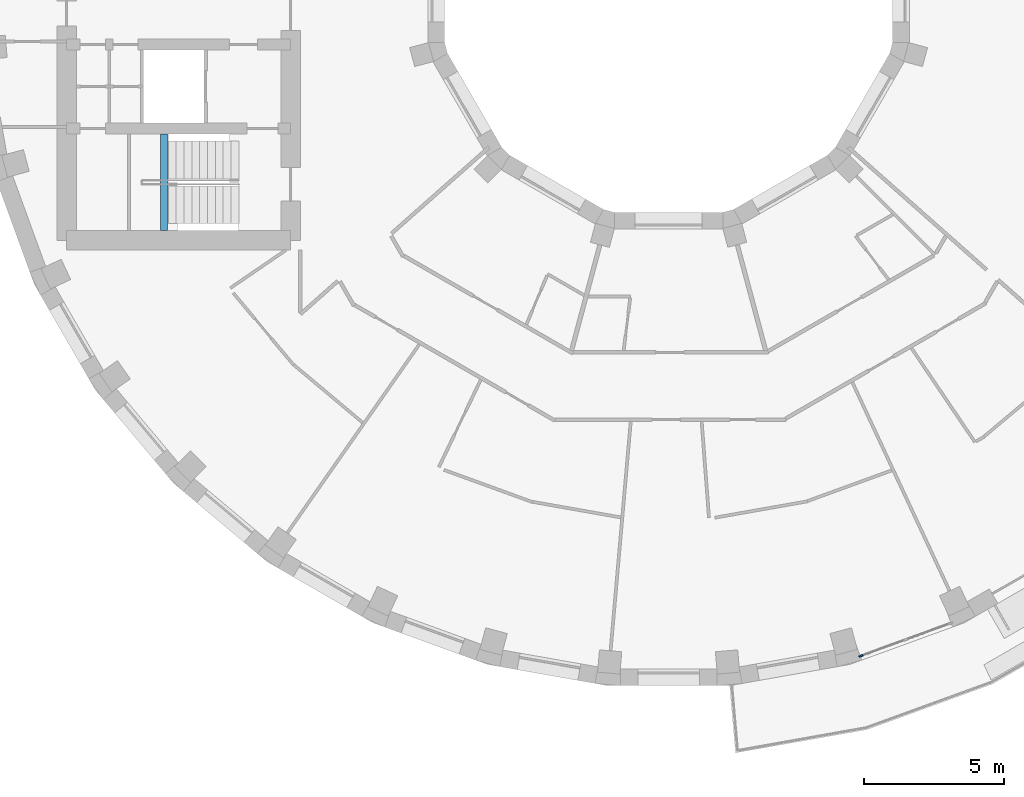
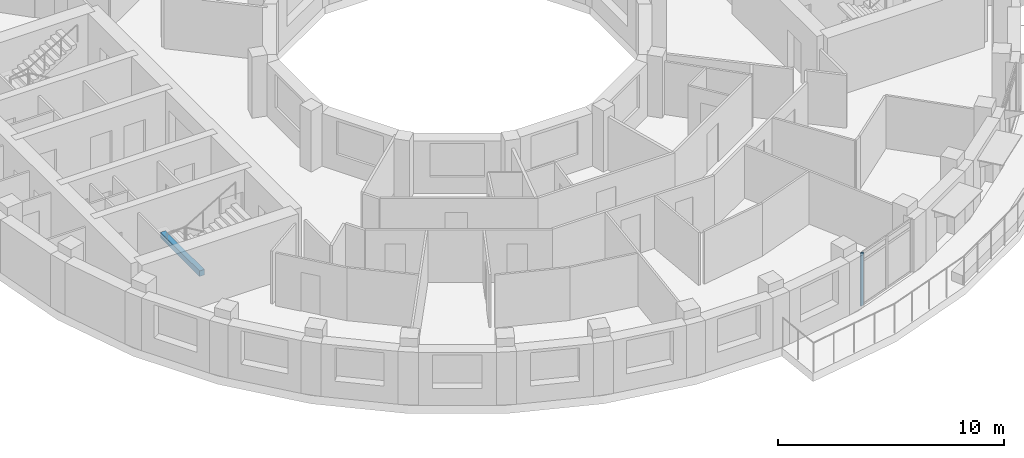
# One storey, part 2 of 15: 1 beam, 1 member, 1 element without a shape of its own.
"""IFC4 building model written with IfcOpenShell, lengths in metres."""

from ifc_helpers import new_model, si_unit, direction, frame, origin, origin_2d, place, context, subcontext, project, spatial, rectangle, extrude, material, layer, layer_set, material_profile, profile_set, type_object, element, aggregate, save


model = new_model("IFC4")

# Units and contexts
model_context = context("Model", 3, precision=1e-05, world=origin(), true_north=direction((0.0, 1.0)))
body_context = subcontext(model_context, "Body", "Model", "MODEL_VIEW")
ifc_project = project(units=[si_unit("LENGTHUNIT", "METRE"), si_unit("AREAUNIT", "SQUARE_METRE"), si_unit("VOLUMEUNIT", "CUBIC_METRE"), si_unit("PLANEANGLEUNIT", "RADIAN"), si_unit("MASSUNIT", "GRAM", prefix="KILO")], contexts=[model_context])

# Site, building, storey
site_placement = place(None, origin())
site = spatial("IfcSite", under=ifc_project, at=site_placement, CompositionType="ELEMENT")
building_placement = place(site_placement, origin())
building = spatial("IfcBuilding", under=site, at=building_placement, Name="Saqina Gate Tower", CompositionType="ELEMENT")
storey_placement = place(building_placement, frame((0.0, 0.0, 167.39990234375)))
storey = spatial("IfcBuildingStorey", under=building, at=storey_placement, Name="L47", CompositionType="ELEMENT", Elevation=167.39990234375)

# Curtain wall, member
ifc_material_1 = material(Name="Aluminium glazing", Category="aluminium")
ifc_layer = layer(ifc_material_1, 0.159912109375)
ifc_layer_set = layer_set([ifc_layer], Name="CWT-4")
curtain_wall_type = type_object("IfcCurtainWallType", Name="CWT-4", PredefinedType="NOTDEFINED", material=ifc_layer_set)
curtain_wall_placement = place(storey_placement, origin())
curtain_wall = element("IfcCurtainWall", 1, at=curtain_wall_placement, inside=storey, type_object=curtain_wall_type, Name="Terrace lounge glazing facet 29", PredefinedType="NOTDEFINED")
ifc_material_2 = material(Name="Aluminium", Category="aluminium")
ifc_material_profile_1 = material_profile(ifc_material_2, rectangle(XDim=0.06005859375, YDim=0.159912109375, at=origin_2d()), Name="Aluminium 60x160")
ifc_profile_set_1 = profile_set([ifc_material_profile_1], Name="Aluminium")
member_type = type_object("IfcMemberType", Name="CWT-4M", PredefinedType="MULLION", material=ifc_profile_set_1)
member_placement = place(storey_placement, frame((6.8740234375, -23.841552734375, 0.0), z_axis=(0.0, 0.0, 1.0), x_axis=(-0.342024671777, 0.939690972552, 0.0)))
member = element("IfcMember", 2, at=member_placement, type_object=member_type, Name="CW4-29 mullion 1", PredefinedType="MULLION", context=body_context, shape_type="SweptSolid", body=[
    extrude(rectangle(XDim=0.06005859375, YDim=0.159912109375, at=origin_2d()), origin(), (0.0, 0.0, 1.0), 2.85009765625),
])
aggregate(curtain_wall, [member])

# Beam
ifc_material_3 = material(Name="Concrete C40/50", Category="concrete")
ifc_material_profile_2 = material_profile(ifc_material_3, rectangle(XDim=0.25, YDim=0.300048828125, at=origin_2d()), Name="STAIR LANDING BEAM")
ifc_profile_set_2 = profile_set([ifc_material_profile_2], Name="Concrete C40/50")
beam_type = type_object("IfcBeamType", Name="STAIR LANDING BEAM", PredefinedType="BEAM", material=ifc_profile_set_2)
beam_placement = place(storey_placement, frame((-18.02001953125, -8.64990234375, 1.25), z_axis=(0.0, 1.0, 0.0), x_axis=(-1.0, 0.0, 0.0)))
element("IfcBeam", 3, at=beam_placement, inside=storey, type_object=beam_type, Name="EXIT STAIR 4 LANDING BEAM", PredefinedType="BEAM", context=body_context, shape_type="SweptSolid", body=[
    extrude(rectangle(XDim=0.25, YDim=0.300048828125, at=origin_2d()), origin(), (0.0, 0.0, 1.0), 3.449951171875),
])

save(model, "model.ifc")
